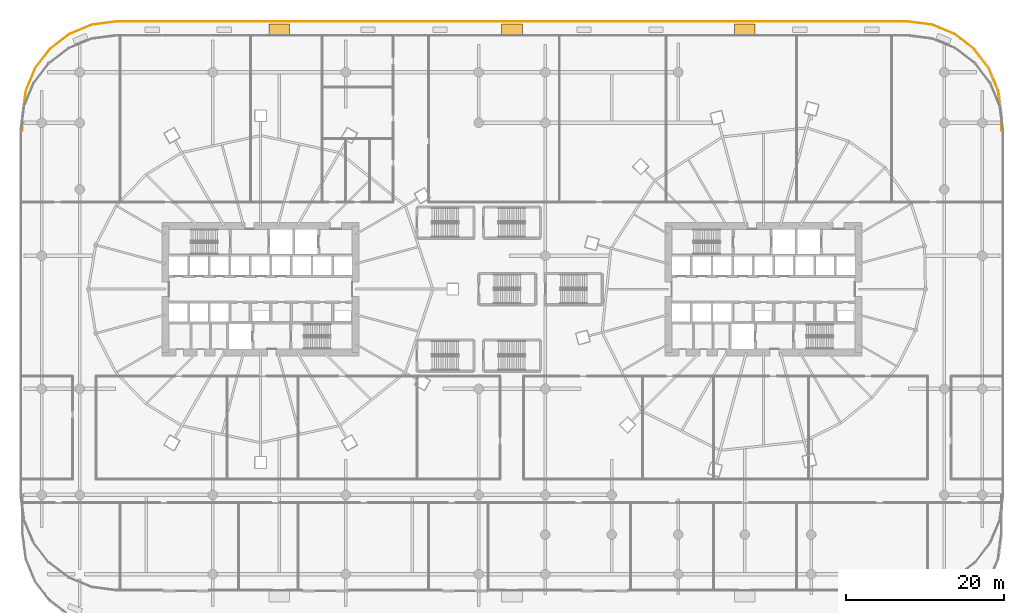
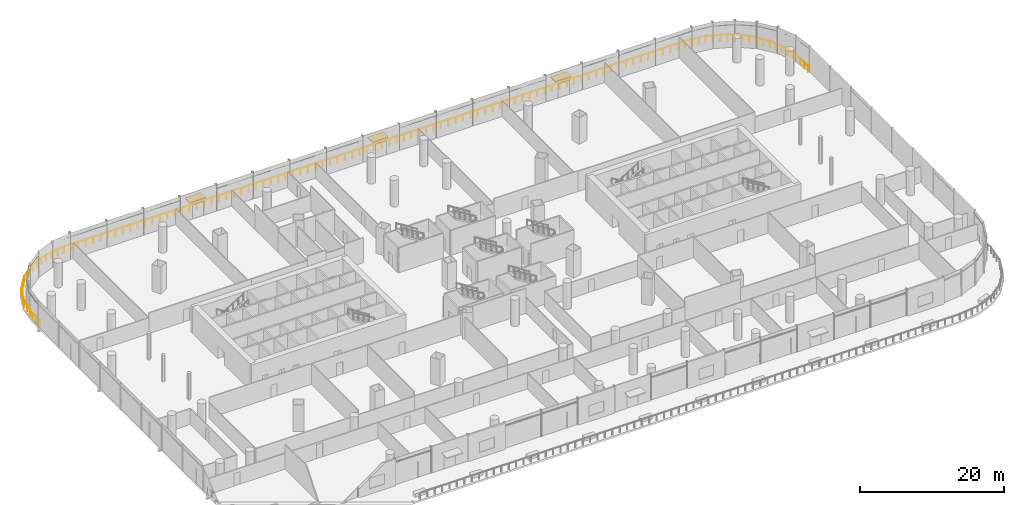
# One storey, part 42 of 43: 3 railings, 3 shading devices.
"""IFC4 building model written with IfcOpenShell, lengths in metres."""

from ifc_helpers import new_model, si_unit, direction, frame, origin, origin_2d, place, context, subcontext, project, spatial, rectangle, circle, extrude, material, layer, layer_set, type_object, element, save


model = new_model("IFC4")

# Units and contexts
model_context = context("Model", 3, precision=1e-05, world=origin(), true_north=direction((0.0, 1.0)))
body_context = subcontext(model_context, "Body", "Model", "MODEL_VIEW")
ifc_project = project(units=[si_unit("LENGTHUNIT", "METRE"), si_unit("AREAUNIT", "SQUARE_METRE"), si_unit("VOLUMEUNIT", "CUBIC_METRE"), si_unit("PLANEANGLEUNIT", "RADIAN"), si_unit("MASSUNIT", "GRAM", prefix="KILO")], contexts=[model_context])

# Site, building, storey
site_placement = place(None, origin())
site = spatial("IfcSite", under=ifc_project, at=site_placement, CompositionType="ELEMENT")
building_placement = place(site_placement, origin())
building = spatial("IfcBuilding", under=site, at=building_placement, Name="Rimbun Link Towers", CompositionType="ELEMENT")
storey_placement = place(building_placement, frame((0.0, 0.0, 12.0)))
storey = spatial("IfcBuildingStorey", under=building, at=storey_placement, Name="L02", CompositionType="ELEMENT", Elevation=12.0)

# Railings
ifc_material_1 = material(Name="Toughened laminated glass, stainless steel grade 316 posts and cap rail", Category="steel")
railing_type = type_object("IfcRailingType", Name="GUARD glass balustrade with stainless cap rail", PredefinedType="BALUSTRADE", material=ifc_material_1)
railing_1_placement = place(storey_placement, frame((61.800048828125, 20.0, 0.0)))
element("IfcRailing", 1, at=railing_1_placement, inside=storey, type_object=railing_type, Name="GUARD glass balustrade", PredefinedType="BALUSTRADE", context=body_context, shape_type="SweptSolid", body=[
    extrude(circle(Radius=0.02392578125, at=origin_2d()), frame((0.0, 0.0, 1.076171875), z_axis=(0.0, 1.0, 0.0), x_axis=(-1.0, 0.0, 0.0)), (0.0, 0.0, 1.0), 1.98681640625),
    extrude(circle(Radius=0.02392578125, at=origin_2d()), frame((0.0, 1.98681640625, 1.076171875), z_axis=(-0.130540259305, 0.991443009305, 0.0), x_axis=(-0.991443009305, -0.130540259305, 0.0)), (0.0, 0.0, 1.0), 3.09326171875),
    extrude(circle(Radius=0.02392578125, at=origin_2d()), frame((-0.40380859375, 5.0537109375, 1.076171875), z_axis=(-0.382706499462, 0.92386997747, 0.0), x_axis=(-0.92386997747, -0.382706499462, 0.0)), (0.0, 0.0, 1.0), 3.079833984375),
    extrude(circle(Radius=0.02392578125, at=origin_2d()), frame((-1.58251953125, 7.899169921875, 1.076171875), z_axis=(-0.608702762794, 0.793398353015, 0.0), x_axis=(-0.793398353015, -0.608702762794, 0.0)), (0.0, 0.0, 1.0), 3.079833984375),
    extrude(circle(Radius=0.02392578125, at=origin_2d()), frame((-3.457275390625, 10.3427734375, 1.076171875), z_axis=(-0.793398353015, 0.608702762794, 0.0), x_axis=(-0.608702762794, -0.793398353015, 0.0)), (0.0, 0.0, 1.0), 3.079833984375),
    extrude(circle(Radius=0.02392578125, at=origin_2d()), frame((-5.90087890625, 12.217529296875, 1.076171875), z_axis=(-0.92386997747, 0.382706499462, 0.0), x_axis=(-0.382706499462, -0.92386997747, 0.0)), (0.0, 0.0, 1.0), 3.079833984375),
    extrude(circle(Radius=0.02392578125, at=origin_2d()), frame((-8.746337890625, 13.396240234375, 1.076171875), z_axis=(-0.991443009305, 0.130540259305, 0.0), x_axis=(-0.130540259305, -0.991443009305, 0.0)), (0.0, 0.0, 1.0), 3.09326171875),
    extrude(circle(Radius=0.02099609375, at=origin_2d()), origin(), (0.0, 0.0, 1.0), 1.052001953125),
    extrude(circle(Radius=0.02099609375, at=origin_2d()), frame((0.0, 0.993408203125, 0.0)), (0.0, 0.0, 1.0), 1.052001953125),
    extrude(circle(Radius=0.02099609375, at=origin_2d()), frame((0.0, 1.98681640625, 0.0)), (0.0, 0.0, 1.0), 1.052001953125),
    extrude(circle(Radius=0.02099609375, at=origin_2d()), frame((-0.134521484375, 3.009033203125, 0.0)), (0.0, 0.0, 1.0), 1.052001953125),
    extrude(circle(Radius=0.02099609375, at=origin_2d()), frame((-0.269287109375, 4.031494140625, 0.0)), (0.0, 0.0, 1.0), 1.052001953125),
    extrude(circle(Radius=0.02099609375, at=origin_2d()), frame((-0.40380859375, 5.0537109375, 0.0)), (0.0, 0.0, 1.0), 1.052001953125),
    extrude(circle(Radius=0.02099609375, at=origin_2d()), frame((-0.796630859375, 6.002197265625, 0.0)), (0.0, 0.0, 1.0), 1.052001953125),
    extrude(circle(Radius=0.02099609375, at=origin_2d()), frame((-1.189697265625, 6.95068359375, 0.0)), (0.0, 0.0, 1.0), 1.052001953125),
    extrude(circle(Radius=0.02099609375, at=origin_2d()), frame((-1.58251953125, 7.899169921875, 0.0)), (0.0, 0.0, 1.0), 1.052001953125),
    extrude(circle(Radius=0.02099609375, at=origin_2d()), frame((-2.20751953125, 8.713623046875, 0.0)), (0.0, 0.0, 1.0), 1.052001953125),
    extrude(circle(Radius=0.02099609375, at=origin_2d()), frame((-2.832275390625, 9.5283203125, 0.0)), (0.0, 0.0, 1.0), 1.052001953125),
    extrude(circle(Radius=0.02099609375, at=origin_2d()), frame((-3.457275390625, 10.3427734375, 0.0)), (0.0, 0.0, 1.0), 1.052001953125),
    extrude(circle(Radius=0.02099609375, at=origin_2d()), frame((-4.271728515625, 10.9677734375, 0.0)), (0.0, 0.0, 1.0), 1.052001953125),
    extrude(circle(Radius=0.02099609375, at=origin_2d()), frame((-5.08642578125, 11.592529296875, 0.0)), (0.0, 0.0, 1.0), 1.052001953125),
    extrude(circle(Radius=0.02099609375, at=origin_2d()), frame((-5.90087890625, 12.217529296875, 0.0)), (0.0, 0.0, 1.0), 1.052001953125),
    extrude(circle(Radius=0.02099609375, at=origin_2d()), frame((-6.849365234375, 12.6103515625, 0.0)), (0.0, 0.0, 1.0), 1.052001953125),
    extrude(circle(Radius=0.02099609375, at=origin_2d()), frame((-7.7978515625, 13.00341796875, 0.0)), (0.0, 0.0, 1.0), 1.052001953125),
    extrude(circle(Radius=0.02099609375, at=origin_2d()), frame((-8.746337890625, 13.396240234375, 0.0)), (0.0, 0.0, 1.0), 1.052001953125),
    extrude(circle(Radius=0.02099609375, at=origin_2d()), frame((-9.7685546875, 13.53076171875, 0.0)), (0.0, 0.0, 1.0), 1.052001953125),
    extrude(circle(Radius=0.02099609375, at=origin_2d()), frame((-10.791015625, 13.66552734375, 0.0)), (0.0, 0.0, 1.0), 1.052001953125),
    extrude(circle(Radius=0.02099609375, at=origin_2d()), frame((-11.813232421875, 13.800048828125, 0.0)), (0.0, 0.0, 1.0), 1.052001953125),
])
railing_2_placement = place(storey_placement, frame((49.98681640625, 33.800048828125, 0.0)))
element("IfcRailing", 2, at=railing_2_placement, inside=storey, type_object=railing_type, Name="GUARD glass balustrade", PredefinedType="BALUSTRADE", context=body_context, shape_type="SweptSolid", body=[
    extrude(circle(Radius=0.02392578125, at=origin_2d()), frame((0.0, 0.0, 1.076171875), z_axis=(-1.0, 0.0, 0.0), x_axis=(0.0, -1.0, 0.0)), (0.0, 0.0, 1.0), 99.9736328125),
    extrude(circle(Radius=0.02099609375, at=origin_2d()), origin(), (0.0, 0.0, 1.0), 1.052001953125),
    extrude(circle(Radius=0.02099609375, at=origin_2d()), frame((-1.190185546875, 0.0, 0.0)), (0.0, 0.0, 1.0), 1.052001953125),
    extrude(circle(Radius=0.02099609375, at=origin_2d()), frame((-2.38037109375, 0.0, 0.0)), (0.0, 0.0, 1.0), 1.052001953125),
    extrude(circle(Radius=0.02099609375, at=origin_2d()), frame((-3.570556640625, 0.0, 0.0)), (0.0, 0.0, 1.0), 1.052001953125),
    extrude(circle(Radius=0.02099609375, at=origin_2d()), frame((-4.7607421875, 0.0, 0.0)), (0.0, 0.0, 1.0), 1.052001953125),
    extrude(circle(Radius=0.02099609375, at=origin_2d()), frame((-5.950927734375, 0.0, 0.0)), (0.0, 0.0, 1.0), 1.052001953125),
    extrude(circle(Radius=0.02099609375, at=origin_2d()), frame((-7.140869140625, 0.0, 0.0)), (0.0, 0.0, 1.0), 1.052001953125),
    extrude(circle(Radius=0.02099609375, at=origin_2d()), frame((-8.3310546875, 0.0, 0.0)), (0.0, 0.0, 1.0), 1.052001953125),
    extrude(circle(Radius=0.02099609375, at=origin_2d()), frame((-9.521240234375, 0.0, 0.0)), (0.0, 0.0, 1.0), 1.052001953125),
    extrude(circle(Radius=0.02099609375, at=origin_2d()), frame((-10.71142578125, 0.0, 0.0)), (0.0, 0.0, 1.0), 1.052001953125),
    extrude(circle(Radius=0.02099609375, at=origin_2d()), frame((-11.901611328125, 0.0, 0.0)), (0.0, 0.0, 1.0), 1.052001953125),
    extrude(circle(Radius=0.02099609375, at=origin_2d()), frame((-13.091796875, 0.0, 0.0)), (0.0, 0.0, 1.0), 1.052001953125),
    extrude(circle(Radius=0.02099609375, at=origin_2d()), frame((-14.281982421875, 0.0, 0.0)), (0.0, 0.0, 1.0), 1.052001953125),
    extrude(circle(Radius=0.02099609375, at=origin_2d()), frame((-15.47216796875, 0.0, 0.0)), (0.0, 0.0, 1.0), 1.052001953125),
    extrude(circle(Radius=0.02099609375, at=origin_2d()), frame((-16.662353515625, 0.0, 0.0)), (0.0, 0.0, 1.0), 1.052001953125),
    extrude(circle(Radius=0.02099609375, at=origin_2d()), frame((-17.8525390625, 0.0, 0.0)), (0.0, 0.0, 1.0), 1.052001953125),
    extrude(circle(Radius=0.02099609375, at=origin_2d()), frame((-19.04248046875, 0.0, 0.0)), (0.0, 0.0, 1.0), 1.052001953125),
    extrude(circle(Radius=0.02099609375, at=origin_2d()), frame((-20.232666015625, 0.0, 0.0)), (0.0, 0.0, 1.0), 1.052001953125),
    extrude(circle(Radius=0.02099609375, at=origin_2d()), frame((-21.4228515625, 0.0, 0.0)), (0.0, 0.0, 1.0), 1.052001953125),
    extrude(circle(Radius=0.02099609375, at=origin_2d()), frame((-22.613037109375, 0.0, 0.0)), (0.0, 0.0, 1.0), 1.052001953125),
    extrude(circle(Radius=0.02099609375, at=origin_2d()), frame((-23.80322265625, 0.0, 0.0)), (0.0, 0.0, 1.0), 1.052001953125),
    extrude(circle(Radius=0.02099609375, at=origin_2d()), frame((-24.993408203125, 0.0, 0.0)), (0.0, 0.0, 1.0), 1.052001953125),
    extrude(circle(Radius=0.02099609375, at=origin_2d()), frame((-26.18359375, 0.0, 0.0)), (0.0, 0.0, 1.0), 1.052001953125),
    extrude(circle(Radius=0.02099609375, at=origin_2d()), frame((-27.373779296875, 0.0, 0.0)), (0.0, 0.0, 1.0), 1.052001953125),
    extrude(circle(Radius=0.02099609375, at=origin_2d()), frame((-28.56396484375, 0.0, 0.0)), (0.0, 0.0, 1.0), 1.052001953125),
    extrude(circle(Radius=0.02099609375, at=origin_2d()), frame((-29.754150390625, 0.0, 0.0)), (0.0, 0.0, 1.0), 1.052001953125),
    extrude(circle(Radius=0.02099609375, at=origin_2d()), frame((-30.9443359375, 0.0, 0.0)), (0.0, 0.0, 1.0), 1.052001953125),
    extrude(circle(Radius=0.02099609375, at=origin_2d()), frame((-32.13427734375, 0.0, 0.0)), (0.0, 0.0, 1.0), 1.052001953125),
    extrude(circle(Radius=0.02099609375, at=origin_2d()), frame((-33.324462890625, 0.0, 0.0)), (0.0, 0.0, 1.0), 1.052001953125),
    extrude(circle(Radius=0.02099609375, at=origin_2d()), frame((-34.5146484375, 0.0, 0.0)), (0.0, 0.0, 1.0), 1.052001953125),
    extrude(circle(Radius=0.02099609375, at=origin_2d()), frame((-35.704833984375, 0.0, 0.0)), (0.0, 0.0, 1.0), 1.052001953125),
    extrude(circle(Radius=0.02099609375, at=origin_2d()), frame((-36.89501953125, 0.0, 0.0)), (0.0, 0.0, 1.0), 1.052001953125),
    extrude(circle(Radius=0.02099609375, at=origin_2d()), frame((-38.085205078125, 0.0, 0.0)), (0.0, 0.0, 1.0), 1.052001953125),
    extrude(circle(Radius=0.02099609375, at=origin_2d()), frame((-39.275390625, 0.0, 0.0)), (0.0, 0.0, 1.0), 1.052001953125),
    extrude(circle(Radius=0.02099609375, at=origin_2d()), frame((-40.465576171875, 0.0, 0.0)), (0.0, 0.0, 1.0), 1.052001953125),
    extrude(circle(Radius=0.02099609375, at=origin_2d()), frame((-41.65576171875, 0.0, 0.0)), (0.0, 0.0, 1.0), 1.052001953125),
    extrude(circle(Radius=0.02099609375, at=origin_2d()), frame((-42.845947265625, 0.0, 0.0)), (0.0, 0.0, 1.0), 1.052001953125),
    extrude(circle(Radius=0.02099609375, at=origin_2d()), frame((-44.035888671875, 0.0, 0.0)), (0.0, 0.0, 1.0), 1.052001953125),
    extrude(circle(Radius=0.02099609375, at=origin_2d()), frame((-45.22607421875, 0.0, 0.0)), (0.0, 0.0, 1.0), 1.052001953125),
    extrude(circle(Radius=0.02099609375, at=origin_2d()), frame((-46.416259765625, 0.0, 0.0)), (0.0, 0.0, 1.0), 1.052001953125),
    extrude(circle(Radius=0.02099609375, at=origin_2d()), frame((-47.6064453125, 0.0, 0.0)), (0.0, 0.0, 1.0), 1.052001953125),
    extrude(circle(Radius=0.02099609375, at=origin_2d()), frame((-48.796630859375, 0.0, 0.0)), (0.0, 0.0, 1.0), 1.052001953125),
    extrude(circle(Radius=0.02099609375, at=origin_2d()), frame((-49.98681640625, 0.0, 0.0)), (0.0, 0.0, 1.0), 1.052001953125),
    extrude(circle(Radius=0.02099609375, at=origin_2d()), frame((-51.177001953125, 0.0, 0.0)), (0.0, 0.0, 1.0), 1.052001953125),
    extrude(circle(Radius=0.02099609375, at=origin_2d()), frame((-52.3671875, 0.0, 0.0)), (0.0, 0.0, 1.0), 1.052001953125),
    extrude(circle(Radius=0.02099609375, at=origin_2d()), frame((-53.557373046875, 0.0, 0.0)), (0.0, 0.0, 1.0), 1.052001953125),
    extrude(circle(Radius=0.02099609375, at=origin_2d()), frame((-54.74755859375, 0.0, 0.0)), (0.0, 0.0, 1.0), 1.052001953125),
    extrude(circle(Radius=0.02099609375, at=origin_2d()), frame((-55.937744140625, 0.0, 0.0)), (0.0, 0.0, 1.0), 1.052001953125),
    extrude(circle(Radius=0.02099609375, at=origin_2d()), frame((-57.127685546875, 0.0, 0.0)), (0.0, 0.0, 1.0), 1.052001953125),
    extrude(circle(Radius=0.02099609375, at=origin_2d()), frame((-58.31787109375, 0.0, 0.0)), (0.0, 0.0, 1.0), 1.052001953125),
    extrude(circle(Radius=0.02099609375, at=origin_2d()), frame((-59.508056640625, 0.0, 0.0)), (0.0, 0.0, 1.0), 1.052001953125),
    extrude(circle(Radius=0.02099609375, at=origin_2d()), frame((-60.6982421875, 0.0, 0.0)), (0.0, 0.0, 1.0), 1.052001953125),
    extrude(circle(Radius=0.02099609375, at=origin_2d()), frame((-61.888427734375, 0.0, 0.0)), (0.0, 0.0, 1.0), 1.052001953125),
    extrude(circle(Radius=0.02099609375, at=origin_2d()), frame((-63.07861328125, 0.0, 0.0)), (0.0, 0.0, 1.0), 1.052001953125),
    extrude(circle(Radius=0.02099609375, at=origin_2d()), frame((-64.268798828125, 0.0, 0.0)), (0.0, 0.0, 1.0), 1.052001953125),
    extrude(circle(Radius=0.02099609375, at=origin_2d()), frame((-65.458984375, 0.0, 0.0)), (0.0, 0.0, 1.0), 1.052001953125),
    extrude(circle(Radius=0.02099609375, at=origin_2d()), frame((-66.649169921875, 0.0, 0.0)), (0.0, 0.0, 1.0), 1.052001953125),
    extrude(circle(Radius=0.02099609375, at=origin_2d()), frame((-67.83935546875, 0.0, 0.0)), (0.0, 0.0, 1.0), 1.052001953125),
    extrude(circle(Radius=0.02099609375, at=origin_2d()), frame((-69.029296875, 0.0, 0.0)), (0.0, 0.0, 1.0), 1.052001953125),
    extrude(circle(Radius=0.02099609375, at=origin_2d()), frame((-70.219482421875, 0.0, 0.0)), (0.0, 0.0, 1.0), 1.052001953125),
    extrude(circle(Radius=0.02099609375, at=origin_2d()), frame((-71.40966796875, 0.0, 0.0)), (0.0, 0.0, 1.0), 1.052001953125),
    extrude(circle(Radius=0.02099609375, at=origin_2d()), frame((-72.599853515625, 0.0, 0.0)), (0.0, 0.0, 1.0), 1.052001953125),
    extrude(circle(Radius=0.02099609375, at=origin_2d()), frame((-73.7900390625, 0.0, 0.0)), (0.0, 0.0, 1.0), 1.052001953125),
    extrude(circle(Radius=0.02099609375, at=origin_2d()), frame((-74.980224609375, 0.0, 0.0)), (0.0, 0.0, 1.0), 1.052001953125),
    extrude(circle(Radius=0.02099609375, at=origin_2d()), frame((-76.17041015625, 0.0, 0.0)), (0.0, 0.0, 1.0), 1.052001953125),
    extrude(circle(Radius=0.02099609375, at=origin_2d()), frame((-77.360595703125, 0.0, 0.0)), (0.0, 0.0, 1.0), 1.052001953125),
    extrude(circle(Radius=0.02099609375, at=origin_2d()), frame((-78.55078125, 0.0, 0.0)), (0.0, 0.0, 1.0), 1.052001953125),
    extrude(circle(Radius=0.02099609375, at=origin_2d()), frame((-79.740966796875, 0.0, 0.0)), (0.0, 0.0, 1.0), 1.052001953125),
    extrude(circle(Radius=0.02099609375, at=origin_2d()), frame((-80.93115234375, 0.0, 0.0)), (0.0, 0.0, 1.0), 1.052001953125),
    extrude(circle(Radius=0.02099609375, at=origin_2d()), frame((-82.12109375, 0.0, 0.0)), (0.0, 0.0, 1.0), 1.052001953125),
    extrude(circle(Radius=0.02099609375, at=origin_2d()), frame((-83.311279296875, 0.0, 0.0)), (0.0, 0.0, 1.0), 1.052001953125),
    extrude(circle(Radius=0.02099609375, at=origin_2d()), frame((-84.50146484375, 0.0, 0.0)), (0.0, 0.0, 1.0), 1.052001953125),
    extrude(circle(Radius=0.02099609375, at=origin_2d()), frame((-85.691650390625, 0.0, 0.0)), (0.0, 0.0, 1.0), 1.052001953125),
    extrude(circle(Radius=0.02099609375, at=origin_2d()), frame((-86.8818359375, 0.0, 0.0)), (0.0, 0.0, 1.0), 1.052001953125),
    extrude(circle(Radius=0.02099609375, at=origin_2d()), frame((-88.072021484375, 0.0, 0.0)), (0.0, 0.0, 1.0), 1.052001953125),
    extrude(circle(Radius=0.02099609375, at=origin_2d()), frame((-89.26220703125, 0.0, 0.0)), (0.0, 0.0, 1.0), 1.052001953125),
    extrude(circle(Radius=0.02099609375, at=origin_2d()), frame((-90.452392578125, 0.0, 0.0)), (0.0, 0.0, 1.0), 1.052001953125),
    extrude(circle(Radius=0.02099609375, at=origin_2d()), frame((-91.642578125, 0.0, 0.0)), (0.0, 0.0, 1.0), 1.052001953125),
    extrude(circle(Radius=0.02099609375, at=origin_2d()), frame((-92.832763671875, 0.0, 0.0)), (0.0, 0.0, 1.0), 1.052001953125),
    extrude(circle(Radius=0.02099609375, at=origin_2d()), frame((-94.022705078125, 0.0, 0.0)), (0.0, 0.0, 1.0), 1.052001953125),
    extrude(circle(Radius=0.02099609375, at=origin_2d()), frame((-95.212890625, 0.0, 0.0)), (0.0, 0.0, 1.0), 1.052001953125),
    extrude(circle(Radius=0.02099609375, at=origin_2d()), frame((-96.403076171875, 0.0, 0.0)), (0.0, 0.0, 1.0), 1.052001953125),
    extrude(circle(Radius=0.02099609375, at=origin_2d()), frame((-97.59326171875, 0.0, 0.0)), (0.0, 0.0, 1.0), 1.052001953125),
    extrude(circle(Radius=0.02099609375, at=origin_2d()), frame((-98.783447265625, 0.0, 0.0)), (0.0, 0.0, 1.0), 1.052001953125),
    extrude(circle(Radius=0.02099609375, at=origin_2d()), frame((-99.9736328125, 0.0, 0.0)), (0.0, 0.0, 1.0), 1.052001953125),
])
railing_3_placement = place(storey_placement, frame((-49.98681640625, 33.800048828125, 0.0)))
element("IfcRailing", 3, at=railing_3_placement, inside=storey, type_object=railing_type, Name="GUARD glass balustrade", PredefinedType="BALUSTRADE", context=body_context, shape_type="SweptSolid", body=[
    extrude(circle(Radius=0.02392578125, at=origin_2d()), frame((0.0, 0.0, 1.076171875), z_axis=(-0.991443009305, -0.130540259305, 0.0), x_axis=(0.130540259305, -0.991443009305, 0.0)), (0.0, 0.0, 1.0), 3.09326171875),
    extrude(circle(Radius=0.02392578125, at=origin_2d()), frame((-3.06689453125, -0.40380859375, 1.076171875), z_axis=(-0.92386997747, -0.382706499462, 0.0), x_axis=(0.382706499462, -0.92386997747, 0.0)), (0.0, 0.0, 1.0), 3.079833984375),
    extrude(circle(Radius=0.02392578125, at=origin_2d()), frame((-5.912353515625, -1.58251953125, 1.076171875), z_axis=(-0.793398353015, -0.608702762794, 0.0), x_axis=(0.608702762794, -0.793398353015, 0.0)), (0.0, 0.0, 1.0), 3.079833984375),
    extrude(circle(Radius=0.02392578125, at=origin_2d()), frame((-8.35595703125, -3.457275390625, 1.076171875), z_axis=(-0.608702762794, -0.793398353015, 0.0), x_axis=(0.793398353015, -0.608702762794, 0.0)), (0.0, 0.0, 1.0), 3.079833984375),
    extrude(circle(Radius=0.02392578125, at=origin_2d()), frame((-10.230712890625, -5.90087890625, 1.076171875), z_axis=(-0.382706499462, -0.92386997747, 0.0), x_axis=(0.92386997747, -0.382706499462, 0.0)), (0.0, 0.0, 1.0), 3.079833984375),
    extrude(circle(Radius=0.02392578125, at=origin_2d()), frame((-11.409423828125, -8.746337890625, 1.076171875), z_axis=(-0.130540259305, -0.991443009305, 0.0), x_axis=(0.991443009305, -0.130540259305, 0.0)), (0.0, 0.0, 1.0), 3.09326171875),
    extrude(circle(Radius=0.02392578125, at=origin_2d()), frame((-11.813232421875, -11.813232421875, 1.076171875), z_axis=(0.0, -1.0, 0.0), x_axis=(1.0, 0.0, 0.0)), (0.0, 0.0, 1.0), 1.98681640625),
    extrude(circle(Radius=0.02099609375, at=origin_2d()), origin(), (0.0, 0.0, 1.0), 1.052001953125),
    extrude(circle(Radius=0.02099609375, at=origin_2d()), frame((-1.022216796875, -0.134521484375, 0.0)), (0.0, 0.0, 1.0), 1.052001953125),
    extrude(circle(Radius=0.02099609375, at=origin_2d()), frame((-2.044677734375, -0.269287109375, 0.0)), (0.0, 0.0, 1.0), 1.052001953125),
    extrude(circle(Radius=0.02099609375, at=origin_2d()), frame((-3.06689453125, -0.40380859375, 0.0)), (0.0, 0.0, 1.0), 1.052001953125),
    extrude(circle(Radius=0.02099609375, at=origin_2d()), frame((-4.015380859375, -0.796630859375, 0.0)), (0.0, 0.0, 1.0), 1.052001953125),
    extrude(circle(Radius=0.02099609375, at=origin_2d()), frame((-4.9638671875, -1.189697265625, 0.0)), (0.0, 0.0, 1.0), 1.052001953125),
    extrude(circle(Radius=0.02099609375, at=origin_2d()), frame((-5.912353515625, -1.58251953125, 0.0)), (0.0, 0.0, 1.0), 1.052001953125),
    extrude(circle(Radius=0.02099609375, at=origin_2d()), frame((-6.726806640625, -2.20751953125, 0.0)), (0.0, 0.0, 1.0), 1.052001953125),
    extrude(circle(Radius=0.02099609375, at=origin_2d()), frame((-7.54150390625, -2.832275390625, 0.0)), (0.0, 0.0, 1.0), 1.052001953125),
    extrude(circle(Radius=0.02099609375, at=origin_2d()), frame((-8.35595703125, -3.457275390625, 0.0)), (0.0, 0.0, 1.0), 1.052001953125),
    extrude(circle(Radius=0.02099609375, at=origin_2d()), frame((-8.98095703125, -4.271728515625, 0.0)), (0.0, 0.0, 1.0), 1.052001953125),
    extrude(circle(Radius=0.02099609375, at=origin_2d()), frame((-9.605712890625, -5.08642578125, 0.0)), (0.0, 0.0, 1.0), 1.052001953125),
    extrude(circle(Radius=0.02099609375, at=origin_2d()), frame((-10.230712890625, -5.90087890625, 0.0)), (0.0, 0.0, 1.0), 1.052001953125),
    extrude(circle(Radius=0.02099609375, at=origin_2d()), frame((-10.62353515625, -6.849365234375, 0.0)), (0.0, 0.0, 1.0), 1.052001953125),
    extrude(circle(Radius=0.02099609375, at=origin_2d()), frame((-11.0166015625, -7.7978515625, 0.0)), (0.0, 0.0, 1.0), 1.052001953125),
    extrude(circle(Radius=0.02099609375, at=origin_2d()), frame((-11.409423828125, -8.746337890625, 0.0)), (0.0, 0.0, 1.0), 1.052001953125),
    extrude(circle(Radius=0.02099609375, at=origin_2d()), frame((-11.5439453125, -9.7685546875, 0.0)), (0.0, 0.0, 1.0), 1.052001953125),
    extrude(circle(Radius=0.02099609375, at=origin_2d()), frame((-11.6787109375, -10.791015625, 0.0)), (0.0, 0.0, 1.0), 1.052001953125),
    extrude(circle(Radius=0.02099609375, at=origin_2d()), frame((-11.813232421875, -11.813232421875, 0.0)), (0.0, 0.0, 1.0), 1.052001953125),
    extrude(circle(Radius=0.02099609375, at=origin_2d()), frame((-11.813232421875, -12.806640625, 0.0)), (0.0, 0.0, 1.0), 1.052001953125),
    extrude(circle(Radius=0.02099609375, at=origin_2d()), frame((-11.813232421875, -13.800048828125, 0.0)), (0.0, 0.0, 1.0), 1.052001953125),
])

# Shading devices
ifc_material_2 = material(Name="Aluminium 6063-T6 louvre blades in a powder-coated aluminium frame", Category="aluminium")
ifc_layer = layer(ifc_material_2, 0.139892578125)
ifc_layer_set = layer_set([ifc_layer], Name="RAIN CANOPY louvre blades 2600X1400")
shading_device_type = type_object("IfcShadingDeviceType", Name="RAIN CANOPY louvre blades 2600X1400", PredefinedType="AWNING", material=ifc_layer_set)
for number, where, z_axis, x_axis, name in (
    (4, (29.411865234375, 32.800048828125, 2.7001953125), (0.0, 0.0, 1.0), (1.0, 0.0, 0.0), "RAIN CANOPY over terrace door"),
    (5, (0.0, 32.800048828125, 2.7001953125), (0.0, 0.0, 1.0), (1.0, 0.0, 0.0), "RAIN CANOPY over terrace door"),
    (6, (-29.411865234375, 32.800048828125, 2.7001953125), (0.0, 0.0, 1.0), (1.0, 0.0, 0.0), "RAIN CANOPY over terrace door"),
):
    element("IfcShadingDevice", number, at=place(storey_placement, frame(where, z_axis=z_axis, x_axis=x_axis)), inside=storey, type_object=shading_device_type, Name=name, PredefinedType="AWNING", context=body_context, shape_type="SweptSolid", body=[
        extrude(rectangle(XDim=2.60009765625, YDim=1.39990234375, at=origin_2d()), origin(), (0.0, 0.0, 1.0), 0.139892578125),
    ])

save(model, "model.ifc")
